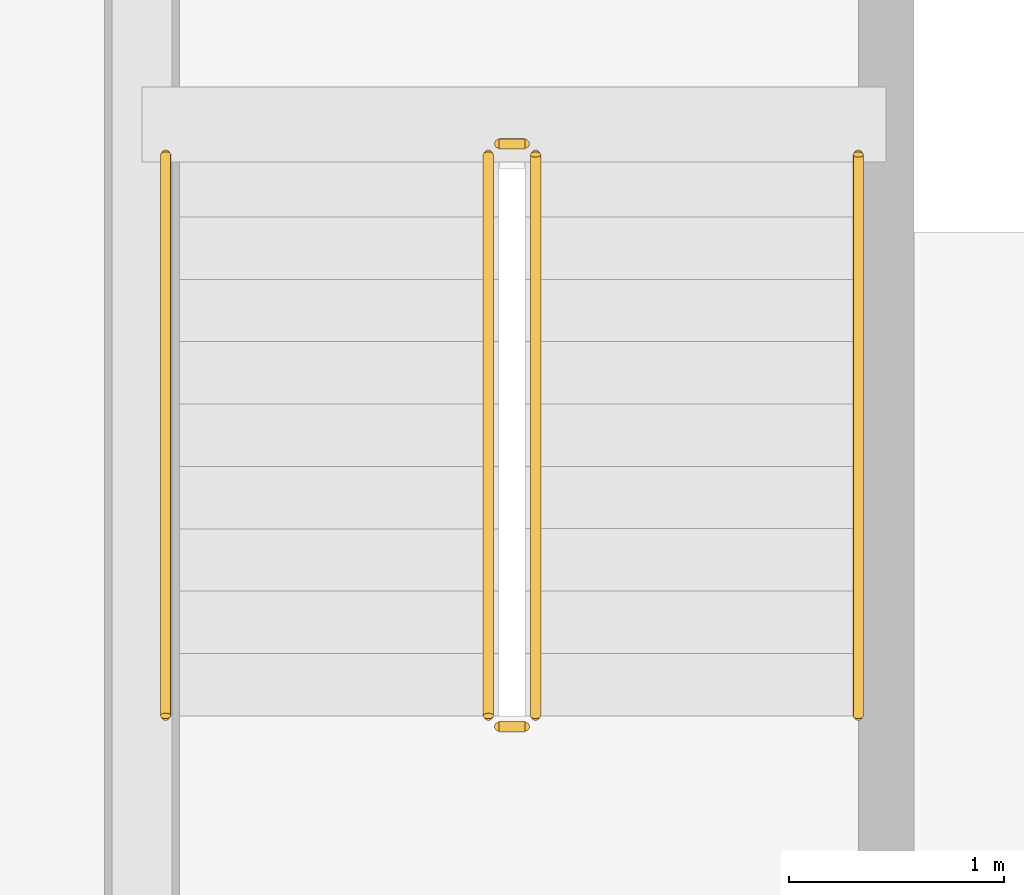
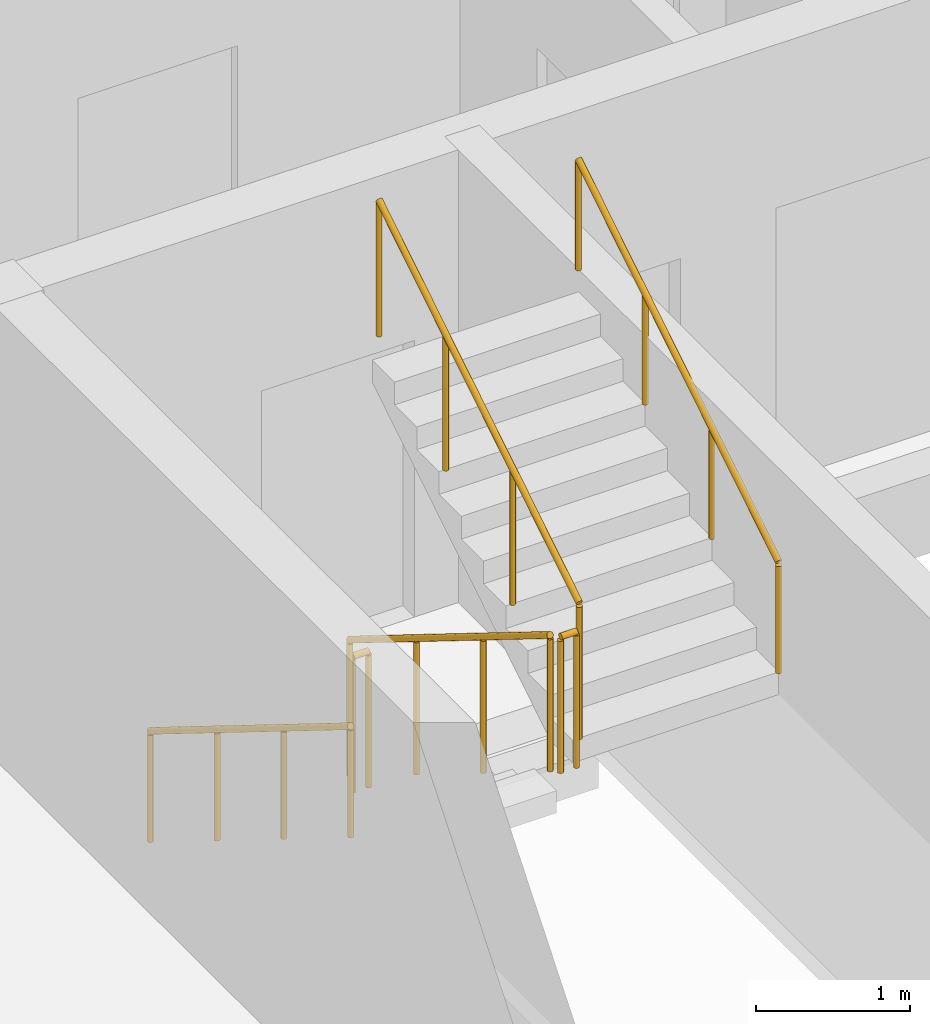
# One storey, part 14 of 15: 6 railings.
"""IFC4 building model written with IfcOpenShell, lengths in metres."""

import ifcopenshell
import ifcopenshell.guid

model = None  # the IFC model being written
_history = None  # IfcOwnerHistory: only IFC2X3 demands one
_inside = {}  # id of a spatial element -> (the spatial element, [elements in it])
_under = {}  # id of a project, library or spatial element -> (it, [spatial elements below it])
_declared = {}  # id of a project -> (the project, [libraries it declares])
_typed = {}  # id of a type object -> (the type object, [elements of that type])
_made_of = {}  # id of a material, layer set ... -> (it, [elements and type objects made of it])


def new_model(schema):
    """Start an empty IFC model of exactly this schema.

    Asked for "IFC4X3", IfcOpenShell would pick the latest addendum, in which some entities
    have other attributes; the version numbers below select the first issue.
    IFC2X3 requires an IfcOwnerHistory on every rooted entity: one is made here for all.
    """
    global model, _history
    if schema == "IFC4X3":
        model = ifcopenshell.file(schema_version=(4, 3, 0, 0))
    else:
        model = ifcopenshell.file(schema=schema)
    _inside.clear()
    _under.clear()
    _declared.clear()
    _typed.clear()
    _made_of.clear()
    _history = None
    if model.schema == "IFC2X3":
        org = make("IfcOrganization", Name="unknown")
        user = make(
            "IfcPersonAndOrganization",
            ThePerson=make("IfcPerson", FamilyName="unknown"),
            TheOrganization=org,
        )
        app = make(
            "IfcApplication",
            ApplicationDeveloper=org,
            Version="unknown",
            ApplicationFullName="unknown",
            ApplicationIdentifier="unknown",
        )
        _history = make(
            "IfcOwnerHistory",
            OwningUser=user,
            OwningApplication=app,
            ChangeAction="ADDED",
            CreationDate=0,
        )
    return model


def make(cls, **values):
    """One entity of the class cls with the attributes given. An attribute that is None is left unset."""
    return model.create_entity(
        cls, **{name: value for name, value in values.items() if value is not None}
    )


def rooted(cls, **values):
    """An entity with a GlobalId (a new one), such as an element, a storey or a relation."""
    return make(cls, GlobalId=ifcopenshell.guid.new(), OwnerHistory=_history, **values)


def si_unit(unit_type, name, prefix=None):
    """IfcSIUnit, for example si_unit("LENGTHUNIT", "METRE", prefix="MILLI")."""
    return make("IfcSIUnit", UnitType=unit_type, Prefix=prefix, Name=name)


def assignment(units):
    """IfcUnitAssignment: the units of a project."""
    return None if units is None else make("IfcUnitAssignment", Units=units)


def point(xyz):
    """IfcCartesianPoint."""
    return None if xyz is None else make("IfcCartesianPoint", Coordinates=xyz)


def direction(xyz):
    """IfcDirection."""
    return None if xyz is None else make("IfcDirection", DirectionRatios=xyz)


def frame(location, z_axis=None, x_axis=None):
    """IfcAxis2Placement3D, a coordinate frame: its origin and axes. An axis left out is left unset."""
    return make(
        "IfcAxis2Placement3D",
        Location=point(location),
        Axis=direction(z_axis),
        RefDirection=direction(x_axis),
    )


def frame_2d(location, x_axis=None):
    """IfcAxis2Placement2D, a coordinate frame in the plane: its origin and x axis."""
    return make(
        "IfcAxis2Placement2D", Location=point(location), RefDirection=direction(x_axis)
    )


def origin():
    """The frame at (0, 0, 0) with its axes left unset."""
    return frame((0.0, 0.0, 0.0))


def origin_2d():
    """The frame at (0, 0) in the plane with its x axis left unset."""
    return frame_2d((0.0, 0.0))


def place(relative_to, where):
    """IfcLocalPlacement: puts the frame where relative to a parent placement (None: the world)."""
    return make(
        "IfcLocalPlacement", PlacementRelTo=relative_to, RelativePlacement=where
    )


def context(
    kind, dimensions, precision=None, world=None, true_north=None, identifier=None
):
    """IfcGeometricRepresentationContext, for example the 3D "Model" context."""
    return make(
        "IfcGeometricRepresentationContext",
        ContextIdentifier=identifier,
        ContextType=kind,
        CoordinateSpaceDimension=dimensions,
        Precision=precision,
        WorldCoordinateSystem=world,
        TrueNorth=true_north,
    )


def subcontext(parent, identifier, kind, view, scale=None):
    """IfcGeometricRepresentationSubContext, for example "Body" below "Model"."""
    return make(
        "IfcGeometricRepresentationSubContext",
        ContextIdentifier=identifier,
        ContextType=kind,
        ParentContext=parent,
        TargetScale=scale,
        TargetView=view,
    )


def project(units=None, contexts=None):
    """IfcProject with its units and contexts."""
    return rooted(
        "IfcProject",
        Name="project",
        RepresentationContexts=contexts,
        UnitsInContext=assignment(units),
    )


def spatial(cls, under=None, at=None, **own):
    """A site, building, storey or space (cls), placed at a placement, below another one or the project."""
    s = rooted(cls, ObjectPlacement=at, **own)
    if under is not None:
        _under.setdefault(under.id(), (under, []))[1].append(s)
    return s


def profile(cls, at=None, kind="AREA", **sizes):
    """A parametric profile (cls). Its sizes go by their IFC names, for example OverallWidth=200.0."""
    return make(cls, ProfileType=kind, Position=at, **sizes)


def circle(**sizes):
    """IfcCircleProfileDef."""
    return profile("IfcCircleProfileDef", **sizes)


def extrude(swept, where, along, depth):
    """IfcExtrudedAreaSolid: the profile swept, set in the frame where, extruded along a direction by depth."""
    return make(
        "IfcExtrudedAreaSolid",
        SweptArea=swept,
        Position=where,
        ExtrudedDirection=direction(along),
        Depth=depth,
    )


def shape(context_of_items, identifier, shape_type, items):
    """IfcShapeRepresentation: the items that make up one representation, for example the "Body"."""
    return make(
        "IfcShapeRepresentation",
        ContextOfItems=context_of_items,
        RepresentationIdentifier=identifier,
        RepresentationType=shape_type,
        Items=items,
    )


def material(Name=None, Category=None):
    """IfcMaterial."""
    return make("IfcMaterial", Name=Name, Category=Category)


def made_of(thing, what):
    """Note that an element or type object is made of a material, layer set ...; save() writes the relation."""
    if what is not None:
        _made_of.setdefault(what.id(), (what, []))[1].append(thing)
    return thing


def type_object(cls, material=None, **own):
    """A type object (cls), such as IfcWallType, which elements share."""
    return made_of(rooted(cls, **own), material)


def element(
    cls,
    number,
    at=None,
    inside=None,
    cuts=None,
    type_object=None,
    material=None,
    context=None,
    identifier="Body",
    shape_type=None,
    held_by="IfcProductDefinitionShape",
    body=None,
    shapes=None,
    **own,
):
    """One element of the class cls, such as IfcWall. Its Tag is "e" and its number.

    at: its placement. inside: the storey or other place that contains it. cuts: it is an
    opening in that element (IfcRelVoidsElement). A single representation is given by context,
    identifier, shape_type and body (its items); several are given by shapes. held_by: the class
    of the entity that holds the representations. save() writes the other relations.
    """
    e = rooted(cls, Tag="e%d" % number, ObjectPlacement=at, **own)
    if body is not None:
        shapes = [shape(context, identifier, shape_type, body)]
    if shapes is not None:
        e.Representation = make(held_by, Representations=shapes)
    if inside is not None:
        _inside.setdefault(inside.id(), (inside, []))[1].append(e)
    if cuts is not None:
        rooted(
            "IfcRelVoidsElement", RelatingBuildingElement=cuts, RelatedOpeningElement=e
        )
    if type_object is not None:
        _typed.setdefault(type_object.id(), (type_object, []))[1].append(e)
    return made_of(e, material)


def aggregate(whole, parts):
    """IfcRelAggregates: a whole, such as a stair, and the parts it consists of."""
    return rooted("IfcRelAggregates", RelatingObject=whole, RelatedObjects=parts)


def save(model, path):
    """Write the relations noted so far, then the file.

    IfcRelAggregates (storeys below a building ...), IfcRelContainedInSpatialStructure (elements
    in a storey), IfcRelDefinesByType, IfcRelAssociatesMaterial and IfcRelDeclares: one each for
    every whole, place, type object, material and project.
    """
    for whole, parts in _under.values():
        aggregate(whole, parts)
    for where, things in _inside.values():
        rooted(
            "IfcRelContainedInSpatialStructure",
            RelatedElements=things,
            RelatingStructure=where,
        )
    for kind, things in _typed.values():
        rooted("IfcRelDefinesByType", RelatedObjects=things, RelatingType=kind)
    for what, things in _made_of.values():
        rooted("IfcRelAssociatesMaterial", RelatedObjects=things, RelatingMaterial=what)
    for by, libraries in _declared.values():
        rooted("IfcRelDeclares", RelatingContext=by, RelatedDefinitions=libraries)
    model.write(path)


model = new_model("IFC4")

# Units and contexts
model_context = context("Model", 3, precision=1e-05, world=origin(), true_north=direction((0.0, 1.0)))
body_context = subcontext(model_context, "Body", "Model", "MODEL_VIEW")
ifc_project = project(units=[si_unit("LENGTHUNIT", "METRE"), si_unit("AREAUNIT", "SQUARE_METRE"), si_unit("VOLUMEUNIT", "CUBIC_METRE"), si_unit("PLANEANGLEUNIT", "RADIAN"), si_unit("MASSUNIT", "GRAM", prefix="KILO")], contexts=[model_context])

# Site, building, storey
site_placement = place(None, origin())
site = spatial("IfcSite", under=ifc_project, at=site_placement, CompositionType="ELEMENT")
building_placement = place(site_placement, origin())
building = spatial("IfcBuilding", under=site, at=building_placement, Name="Vharandega Faculty of Natural Sciences", CompositionType="ELEMENT")
storey_placement = place(building_placement, frame((0.0, 0.0, 32.39990234375)))
storey = spatial("IfcBuildingStorey", under=building, at=storey_placement, Name="L08", CompositionType="ELEMENT", Elevation=32.39990234375)

# Railings
ifc_material_1 = material(Name="Brushed stainless steel handrail", Category="steel")
railing_type_1 = type_object("IfcRailingType", Name="Stair Tubular Handrail 900", PredefinedType="HANDRAIL", material=ifc_material_1)
railing_1_placement = place(storey_placement, frame((146.110107421875, 70.659912109375, 0.18017578125)))
element("IfcRailing", 1, at=railing_1_placement, inside=storey, type_object=railing_type_1, Name="L08 ST2 stair handrail 1", PredefinedType="HANDRAIL", context=body_context, shape_type="SweptSolid", body=[
    extrude(circle(Radius=0.02392578125, at=origin_2d()), frame((0.0, 0.0, 0.8759765625), z_axis=(0.0, -0.849646306263, 0.527352969322), x_axis=(1.0, 0.0, 0.0)), (0.0, 0.0, 1.0), 3.07177734375),
    extrude(circle(Radius=0.02099609375, at=origin_2d()), origin(), (0.0, 0.0, 1.0), 0.851806640625),
    extrude(circle(Radius=0.02099609375, at=origin_2d()), frame((0.0, -0.869873046875, 0.5400390625)), (0.0, 0.0, 1.0), 0.851806640625),
    extrude(circle(Radius=0.02099609375, at=origin_2d()), frame((0.0, -1.739990234375, 1.079833984375)), (0.0, 0.0, 1.0), 0.851806640625),
    extrude(circle(Radius=0.02099609375, at=origin_2d()), frame((0.0, -2.60986328125, 1.619873046875)), (0.0, 0.0, 1.0), 0.851806640625),
])
railing_2_placement = place(storey_placement, frame((149.330078125, 68.050048828125, 1.97998046875)))
element("IfcRailing", 2, at=railing_2_placement, inside=storey, type_object=railing_type_1, Name="L08 ST2 stair handrail 2", PredefinedType="HANDRAIL", context=body_context, shape_type="SweptSolid", body=[
    extrude(circle(Radius=0.02392578125, at=origin_2d()), frame((0.0, 0.0, 0.8759765625), z_axis=(0.0, 0.849610693518, 0.52741034258), x_axis=(-1.0, 0.0, 0.0)), (0.0, 0.0, 1.0), 3.07177734375),
    extrude(circle(Radius=0.02099609375, at=origin_2d()), origin(), (0.0, 0.0, 1.0), 0.851806640625),
    extrude(circle(Radius=0.02099609375, at=origin_2d()), frame((0.0, 0.869873046875, 0.5400390625)), (0.0, 0.0, 1.0), 0.851806640625),
    extrude(circle(Radius=0.02099609375, at=origin_2d()), frame((0.0, 1.739990234375, 1.080078125)), (0.0, 0.0, 1.0), 0.851806640625),
    extrude(circle(Radius=0.02099609375, at=origin_2d()), frame((0.0, 2.60986328125, 1.6201171875)), (0.0, 0.0, 1.0), 0.851806640625),
])
ifc_material_2 = material(Name="Painted steel stair guardrail", Category="steel")
railing_type_2 = type_object("IfcRailingType", Name="Stairwell Steel Guardrail 1100", PredefinedType="GUARDRAIL", material=ifc_material_2)
railing_3_placement = place(storey_placement, frame((147.610107421875, 70.659912109375, 0.18017578125)))
element("IfcRailing", 3, at=railing_3_placement, inside=storey, type_object=railing_type_2, Name="L08 ST2 stair guard 1", PredefinedType="GUARDRAIL", context=body_context, shape_type="SweptSolid", body=[
    extrude(circle(Radius=0.02392578125, at=origin_2d()), frame((0.0, 0.0, 1.076171875), z_axis=(0.0, -0.849646306263, 0.527352969322), x_axis=(1.0, 0.0, 0.0)), (0.0, 0.0, 1.0), 3.07177734375),
    extrude(circle(Radius=0.02099609375, at=origin_2d()), origin(), (0.0, 0.0, 1.0), 1.052001953125),
    extrude(circle(Radius=0.02099609375, at=origin_2d()), frame((0.0, -0.869873046875, 0.5400390625)), (0.0, 0.0, 1.0), 1.052001953125),
    extrude(circle(Radius=0.02099609375, at=origin_2d()), frame((0.0, -1.739990234375, 1.079833984375)), (0.0, 0.0, 1.0), 1.052001953125),
    extrude(circle(Radius=0.02099609375, at=origin_2d()), frame((0.0, -2.60986328125, 1.619873046875)), (0.0, 0.0, 1.0), 1.052001953125),
])
railing_4_placement = place(storey_placement, frame((147.659912109375, 68.0, 1.800048828125)))
element("IfcRailing", 4, at=railing_4_placement, inside=storey, type_object=railing_type_2, Name="L08 ST2 stair guard 2", PredefinedType="GUARDRAIL", context=body_context, shape_type="SweptSolid", body=[
    extrude(circle(Radius=0.02392578125, at=origin_2d()), frame((0.0, 0.0, 1.076171875), z_axis=(1.0, 0.0, 0.0), x_axis=(0.0, 1.0, 0.0)), (0.0, 0.0, 1.0), 0.1201171875),
    extrude(circle(Radius=0.02099609375, at=origin_2d()), origin(), (0.0, 0.0, 1.0), 1.052001953125),
    extrude(circle(Radius=0.02099609375, at=origin_2d()), frame((0.1201171875, 0.0, 0.0)), (0.0, 0.0, 1.0), 1.052001953125),
])
railing_5_placement = place(storey_placement, frame((147.830078125, 68.050048828125, 1.97998046875)))
element("IfcRailing", 5, at=railing_5_placement, inside=storey, type_object=railing_type_2, Name="L08 ST2 stair guard 3", PredefinedType="GUARDRAIL", context=body_context, shape_type="SweptSolid", body=[
    extrude(circle(Radius=0.02392578125, at=origin_2d()), frame((0.0, 0.0, 1.076171875), z_axis=(0.0, 0.849610693518, 0.52741034258), x_axis=(-1.0, 0.0, 0.0)), (0.0, 0.0, 1.0), 3.07177734375),
    extrude(circle(Radius=0.02099609375, at=origin_2d()), origin(), (0.0, 0.0, 1.0), 1.052001953125),
    extrude(circle(Radius=0.02099609375, at=origin_2d()), frame((0.0, 0.869873046875, 0.5400390625)), (0.0, 0.0, 1.0), 1.052001953125),
    extrude(circle(Radius=0.02099609375, at=origin_2d()), frame((0.0, 1.739990234375, 1.080078125)), (0.0, 0.0, 1.0), 1.052001953125),
    extrude(circle(Radius=0.02099609375, at=origin_2d()), frame((0.0, 2.60986328125, 1.6201171875)), (0.0, 0.0, 1.0), 1.052001953125),
])
railing_6_placement = place(storey_placement, frame((147.659912109375, 70.7099609375, 0.0)))
element("IfcRailing", 6, at=railing_6_placement, inside=storey, type_object=railing_type_2, Name="L08 ST2 stair guard 4", PredefinedType="GUARDRAIL", context=body_context, shape_type="SweptSolid", body=[
    extrude(circle(Radius=0.02392578125, at=origin_2d()), frame((0.0, 0.0, 1.076171875), z_axis=(1.0, 0.0, 0.0), x_axis=(0.0, 1.0, 0.0)), (0.0, 0.0, 1.0), 0.1201171875),
    extrude(circle(Radius=0.02099609375, at=origin_2d()), origin(), (0.0, 0.0, 1.0), 1.052001953125),
    extrude(circle(Radius=0.02099609375, at=origin_2d()), frame((0.1201171875, 0.0, 0.0)), (0.0, 0.0, 1.0), 1.052001953125),
])

save(model, "model.ifc")
